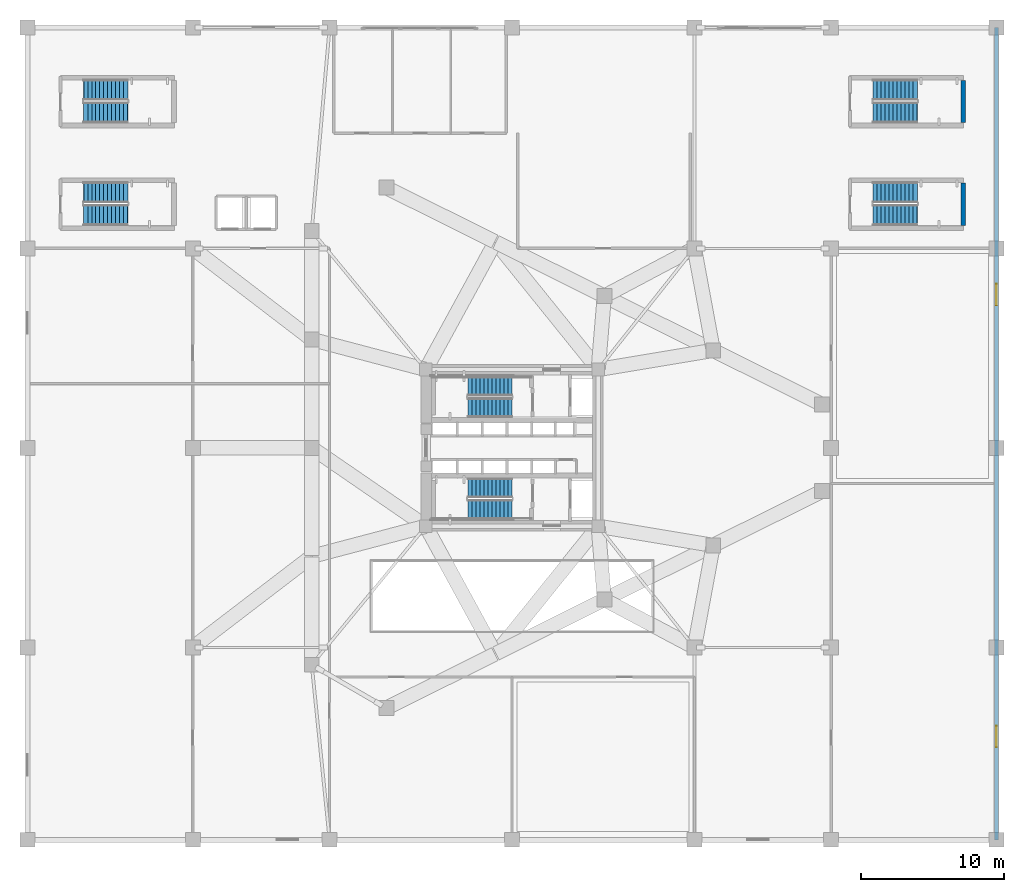
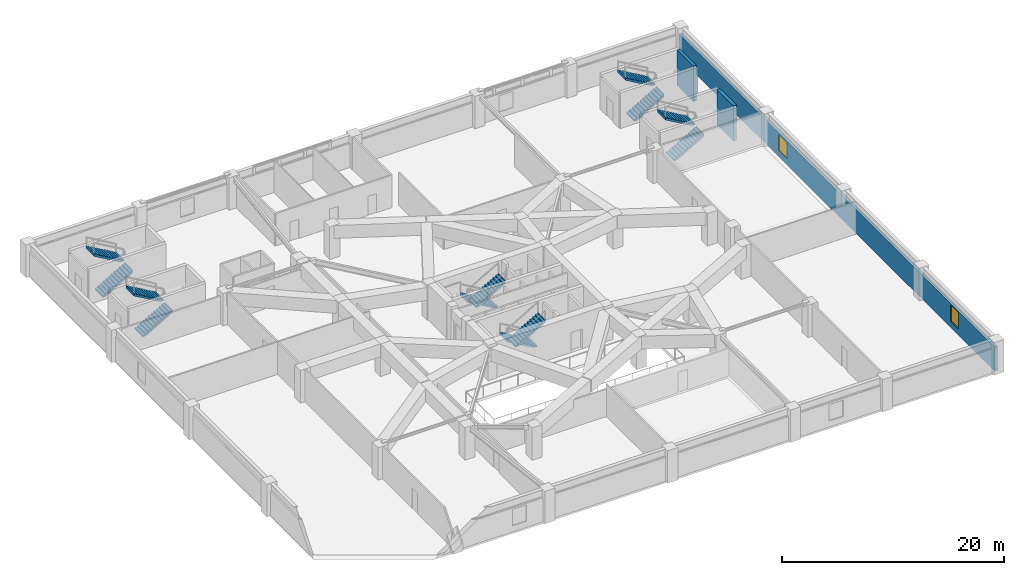
# One storey, part 8 of 16: 12 stair flights, 3 walls, 2 windows, 2 openings, 6 elements without a shape of their own.
"""IFC4 building model written with IfcOpenShell, lengths in metres."""

import ifcopenshell
import ifcopenshell.guid

model = None  # the IFC model being written
_history = None  # IfcOwnerHistory: only IFC2X3 demands one
_inside = {}  # id of a spatial element -> (the spatial element, [elements in it])
_under = {}  # id of a project, library or spatial element -> (it, [spatial elements below it])
_declared = {}  # id of a project -> (the project, [libraries it declares])
_typed = {}  # id of a type object -> (the type object, [elements of that type])
_made_of = {}  # id of a material, layer set ... -> (it, [elements and type objects made of it])


def new_model(schema):
    """Start an empty IFC model of exactly this schema.

    Asked for "IFC4X3", IfcOpenShell would pick the latest addendum, in which some entities
    have other attributes; the version numbers below select the first issue.
    IFC2X3 requires an IfcOwnerHistory on every rooted entity: one is made here for all.
    """
    global model, _history
    if schema == "IFC4X3":
        model = ifcopenshell.file(schema_version=(4, 3, 0, 0))
    else:
        model = ifcopenshell.file(schema=schema)
    _inside.clear()
    _under.clear()
    _declared.clear()
    _typed.clear()
    _made_of.clear()
    _history = None
    if model.schema == "IFC2X3":
        org = make("IfcOrganization", Name="unknown")
        user = make(
            "IfcPersonAndOrganization",
            ThePerson=make("IfcPerson", FamilyName="unknown"),
            TheOrganization=org,
        )
        app = make(
            "IfcApplication",
            ApplicationDeveloper=org,
            Version="unknown",
            ApplicationFullName="unknown",
            ApplicationIdentifier="unknown",
        )
        _history = make(
            "IfcOwnerHistory",
            OwningUser=user,
            OwningApplication=app,
            ChangeAction="ADDED",
            CreationDate=0,
        )
    return model


def make(cls, **values):
    """One entity of the class cls with the attributes given. An attribute that is None is left unset."""
    return model.create_entity(
        cls, **{name: value for name, value in values.items() if value is not None}
    )


def rooted(cls, **values):
    """An entity with a GlobalId (a new one), such as an element, a storey or a relation."""
    return make(cls, GlobalId=ifcopenshell.guid.new(), OwnerHistory=_history, **values)


def si_unit(unit_type, name, prefix=None):
    """IfcSIUnit, for example si_unit("LENGTHUNIT", "METRE", prefix="MILLI")."""
    return make("IfcSIUnit", UnitType=unit_type, Prefix=prefix, Name=name)


def assignment(units):
    """IfcUnitAssignment: the units of a project."""
    return None if units is None else make("IfcUnitAssignment", Units=units)


def point(xyz):
    """IfcCartesianPoint."""
    return None if xyz is None else make("IfcCartesianPoint", Coordinates=xyz)


def direction(xyz):
    """IfcDirection."""
    return None if xyz is None else make("IfcDirection", DirectionRatios=xyz)


def frame(location, z_axis=None, x_axis=None):
    """IfcAxis2Placement3D, a coordinate frame: its origin and axes. An axis left out is left unset."""
    return make(
        "IfcAxis2Placement3D",
        Location=point(location),
        Axis=direction(z_axis),
        RefDirection=direction(x_axis),
    )


def frame_2d(location, x_axis=None):
    """IfcAxis2Placement2D, a coordinate frame in the plane: its origin and x axis."""
    return make(
        "IfcAxis2Placement2D", Location=point(location), RefDirection=direction(x_axis)
    )


def origin():
    """The frame at (0, 0, 0) with its axes left unset."""
    return frame((0.0, 0.0, 0.0))


def place(relative_to, where):
    """IfcLocalPlacement: puts the frame where relative to a parent placement (None: the world)."""
    return make(
        "IfcLocalPlacement", PlacementRelTo=relative_to, RelativePlacement=where
    )


def context(
    kind, dimensions, precision=None, world=None, true_north=None, identifier=None
):
    """IfcGeometricRepresentationContext, for example the 3D "Model" context."""
    return make(
        "IfcGeometricRepresentationContext",
        ContextIdentifier=identifier,
        ContextType=kind,
        CoordinateSpaceDimension=dimensions,
        Precision=precision,
        WorldCoordinateSystem=world,
        TrueNorth=true_north,
    )


def subcontext(parent, identifier, kind, view, scale=None):
    """IfcGeometricRepresentationSubContext, for example "Body" below "Model"."""
    return make(
        "IfcGeometricRepresentationSubContext",
        ContextIdentifier=identifier,
        ContextType=kind,
        ParentContext=parent,
        TargetScale=scale,
        TargetView=view,
    )


def project(units=None, contexts=None):
    """IfcProject with its units and contexts."""
    return rooted(
        "IfcProject",
        Name="project",
        RepresentationContexts=contexts,
        UnitsInContext=assignment(units),
    )


def spatial(cls, under=None, at=None, **own):
    """A site, building, storey or space (cls), placed at a placement, below another one or the project."""
    s = rooted(cls, ObjectPlacement=at, **own)
    if under is not None:
        _under.setdefault(under.id(), (under, []))[1].append(s)
    return s


def polyline(points):
    """IfcPolyline through the points."""
    return make("IfcPolyline", Points=[point(p) for p in points])


def profile(cls, at=None, kind="AREA", **sizes):
    """A parametric profile (cls). Its sizes go by their IFC names, for example OverallWidth=200.0."""
    return make(cls, ProfileType=kind, Position=at, **sizes)


def rectangle(**sizes):
    """IfcRectangleProfileDef."""
    return profile("IfcRectangleProfileDef", **sizes)


def outline(outer, holes=None, kind="AREA"):
    """IfcArbitraryClosedProfileDef: a profile drawn as a closed curve; with holes, ...WithVoids."""
    if holes is None:
        return make("IfcArbitraryClosedProfileDef", ProfileType=kind, OuterCurve=outer)
    return make(
        "IfcArbitraryProfileDefWithVoids",
        ProfileType=kind,
        OuterCurve=outer,
        InnerCurves=holes,
    )


def extrude(swept, where, along, depth):
    """IfcExtrudedAreaSolid: the profile swept, set in the frame where, extruded along a direction by depth."""
    return make(
        "IfcExtrudedAreaSolid",
        SweptArea=swept,
        Position=where,
        ExtrudedDirection=direction(along),
        Depth=depth,
    )


def shape(context_of_items, identifier, shape_type, items):
    """IfcShapeRepresentation: the items that make up one representation, for example the "Body"."""
    return make(
        "IfcShapeRepresentation",
        ContextOfItems=context_of_items,
        RepresentationIdentifier=identifier,
        RepresentationType=shape_type,
        Items=items,
    )


def material(Name=None, Category=None):
    """IfcMaterial."""
    return make("IfcMaterial", Name=Name, Category=Category)


def layer(
    of_material, thickness, ventilated=None, Name=None, Category=None, Priority=None
):
    """IfcMaterialLayer: one layer of a wall or slab, of a material (None: an air gap)."""
    return make(
        "IfcMaterialLayer",
        Material=of_material,
        LayerThickness=thickness,
        IsVentilated=ventilated,
        Name=Name,
        Category=Category,
        Priority=Priority,
    )


def layer_set(layers, Name=None):
    """IfcMaterialLayerSet."""
    return make("IfcMaterialLayerSet", MaterialLayers=layers, LayerSetName=Name)


def made_of(thing, what):
    """Note that an element or type object is made of a material, layer set ...; save() writes the relation."""
    if what is not None:
        _made_of.setdefault(what.id(), (what, []))[1].append(thing)
    return thing


def type_object(cls, material=None, **own):
    """A type object (cls), such as IfcWallType, which elements share."""
    return made_of(rooted(cls, **own), material)


def element(
    cls,
    number,
    at=None,
    inside=None,
    cuts=None,
    type_object=None,
    material=None,
    context=None,
    identifier="Body",
    shape_type=None,
    held_by="IfcProductDefinitionShape",
    body=None,
    shapes=None,
    **own,
):
    """One element of the class cls, such as IfcWall. Its Tag is "e" and its number.

    at: its placement. inside: the storey or other place that contains it. cuts: it is an
    opening in that element (IfcRelVoidsElement). A single representation is given by context,
    identifier, shape_type and body (its items); several are given by shapes. held_by: the class
    of the entity that holds the representations. save() writes the other relations.
    """
    e = rooted(cls, Tag="e%d" % number, ObjectPlacement=at, **own)
    if body is not None:
        shapes = [shape(context, identifier, shape_type, body)]
    if shapes is not None:
        e.Representation = make(held_by, Representations=shapes)
    if inside is not None:
        _inside.setdefault(inside.id(), (inside, []))[1].append(e)
    if cuts is not None:
        rooted(
            "IfcRelVoidsElement", RelatingBuildingElement=cuts, RelatedOpeningElement=e
        )
    if type_object is not None:
        _typed.setdefault(type_object.id(), (type_object, []))[1].append(e)
    return made_of(e, material)


def fill(opening, filler):
    """IfcRelFillsElement: the door or window that sits in an opening."""
    return rooted(
        "IfcRelFillsElement",
        RelatingOpeningElement=opening,
        RelatedBuildingElement=filler,
    )


def aggregate(whole, parts):
    """IfcRelAggregates: a whole, such as a stair, and the parts it consists of."""
    return rooted("IfcRelAggregates", RelatingObject=whole, RelatedObjects=parts)


def save(model, path):
    """Write the relations noted so far, then the file.

    IfcRelAggregates (storeys below a building ...), IfcRelContainedInSpatialStructure (elements
    in a storey), IfcRelDefinesByType, IfcRelAssociatesMaterial and IfcRelDeclares: one each for
    every whole, place, type object, material and project.
    """
    for whole, parts in _under.values():
        aggregate(whole, parts)
    for where, things in _inside.values():
        rooted(
            "IfcRelContainedInSpatialStructure",
            RelatedElements=things,
            RelatingStructure=where,
        )
    for kind, things in _typed.values():
        rooted("IfcRelDefinesByType", RelatedObjects=things, RelatingType=kind)
    for what, things in _made_of.values():
        rooted("IfcRelAssociatesMaterial", RelatedObjects=things, RelatingMaterial=what)
    for by, libraries in _declared.values():
        rooted("IfcRelDeclares", RelatingContext=by, RelatedDefinitions=libraries)
    model.write(path)


model = new_model("IFC4")

# Units and contexts
model_context = context("Model", 3, precision=1e-05, world=origin(), true_north=direction((0.0, 1.0)))
body_context = subcontext(model_context, "Body", "Model", "MODEL_VIEW")
ifc_project = project(units=[si_unit("LENGTHUNIT", "METRE"), si_unit("AREAUNIT", "SQUARE_METRE"), si_unit("VOLUMEUNIT", "CUBIC_METRE"), si_unit("PLANEANGLEUNIT", "RADIAN"), si_unit("MASSUNIT", "GRAM", prefix="KILO")], contexts=[model_context])

# Site, building, storey
site_placement = place(None, origin())
site = spatial("IfcSite", under=ifc_project, at=site_placement, CompositionType="ELEMENT")
building_placement = place(site_placement, origin())
building = spatial("IfcBuilding", under=site, at=building_placement, Name="Yunling Apex Tower", CompositionType="ELEMENT")
storey_placement = place(building_placement, frame((0.0, 0.0, 16.199951171875)))
storey = spatial("IfcBuildingStorey", under=building, at=storey_placement, Name="L05", CompositionType="ELEMENT", Elevation=16.199951171875)

# Walls
ifc_material_1 = material(Name="Concrete C40", Category="concrete")
ifc_layer_1 = layer(ifc_material_1, 0.320068359375)
ifc_layer_set_1 = layer_set([ifc_layer_1], Name="Concrete C40")
wall_type_1 = type_object("IfcWallType", Name="WL-COR-7", PredefinedType="SHEAR", material=ifc_layer_set_1)
for number, where, z_axis, x_axis, name in (
    (1, (31.679931640625, 15.6201171875, 0.0), (0.0, 0.0, 1.0), (0.0, 1.0, 0.0), "L05 STP2 Half-Landing Bearing Wall"),
    (2, (31.679931640625, 22.820068359375, 0.0), (0.0, 0.0, 1.0), (0.0, 1.0, 0.0), "L05 STG2 Half-Landing Bearing Wall"),
):
    element("IfcWall", number, at=place(storey_placement, frame(where, z_axis=z_axis, x_axis=x_axis)), inside=storey, type_object=wall_type_1, Name=name, PredefinedType="SHEAR", context=body_context, shape_type="SweptSolid", body=[
        extrude(rectangle(XDim=2.9599609375, YDim=0.320068359375, at=frame_2d((1.47998046875, 0.0))), origin(), (0.0, 0.0, 1.0), 3.900146484375),
    ])

# Wall, openings, windows
ifc_material_2 = material(Name="Precast concrete C40", Category="concrete")
ifc_layer_2 = layer(ifc_material_2, 0.280029296875)
ifc_layer_set_2 = layer_set([ifc_layer_2], Name="Precast concrete C40")
wall_type_2 = type_object("IfcWallType", Name="WL-EXT-2", PredefinedType="SOLIDWALL", material=ifc_layer_set_2)
wall_placement = place(storey_placement, frame((34.0, 29.5, 0.0), z_axis=(0.0, 0.0, 1.0), x_axis=(0.0, -1.0, 0.0)))
wall = element("IfcWall", 3, at=wall_placement, inside=storey, type_object=wall_type_2, Name="WL-POD-L05-E", PredefinedType="SOLIDWALL", context=body_context, shape_type="SweptSolid", body=[
    extrude(rectangle(XDim=57.0, YDim=0.280029296875, at=frame_2d((28.5, 0.0))), origin(), (0.0, 0.0, 1.0), 2.64013671875),
])
opening_1_placement = place(wall_placement, frame((18.0, 0.0, 0.64990234375)))
opening_1 = element("IfcOpeningElement", 4, at=opening_1_placement, cuts=wall, Name="Opening WN-POD-3", PredefinedType="OPENING", context=body_context, shape_type="SweptSolid", body=[
    extrude(rectangle(XDim=1.5, YDim=1.800048828125, at=frame_2d((0.75, 0.89990234375))), frame((0.0, 0.14990234375, 0.0), z_axis=(0.0, -1.0, 0.0), x_axis=(1.0, 0.0, 0.0)), (0.0, 0.0, 1.0), 0.300048828125),
])
opening_2_placement = place(wall_placement, frame((49.0, 0.0, 0.64990234375)))
opening_2 = element("IfcOpeningElement", 5, at=opening_2_placement, cuts=wall, Name="Opening WN-POD-3", PredefinedType="OPENING", context=body_context, shape_type="SweptSolid", body=[
    extrude(rectangle(XDim=1.5, YDim=1.800048828125, at=frame_2d((0.75, 0.89990234375))), frame((0.0, 0.14990234375, 0.0), z_axis=(0.0, -1.0, 0.0), x_axis=(1.0, 0.0, 0.0)), (0.0, 0.0, 1.0), 0.300048828125),
])
ifc_material_3 = material(Name="Bronze tinted low-E glass", Category="glass")
window_type = type_object("IfcWindowType", Name="WN-POD-3", PartitioningType="SINGLE_PANEL", PredefinedType="WINDOW", material=ifc_material_3)
window_1_placement = place(opening_1_placement, origin())
window_1 = element("IfcWindow", 6, at=window_1_placement, inside=storey, type_object=window_type, Name="WN-L05-E-1", OverallHeight=1.800048828125, OverallWidth=1.5, PartitioningType="SINGLE_PANEL", PredefinedType="WINDOW", context=body_context, shape_type="SweptSolid", body=[
    extrude(rectangle(XDim=1.5, YDim=1.800048828125, at=frame_2d((0.75, 0.89990234375))), frame((0.0, 0.030029296875, 0.0), z_axis=(0.0, -1.0, 0.0), x_axis=(1.0, 0.0, 0.0)), (0.0, 0.0, 1.0), 0.06005859375),
])
fill(opening_1, window_1)
window_2_placement = place(opening_2_placement, origin())
window_2 = element("IfcWindow", 7, at=window_2_placement, inside=storey, type_object=window_type, Name="WN-L05-E-2", OverallHeight=1.800048828125, OverallWidth=1.5, PartitioningType="SINGLE_PANEL", PredefinedType="WINDOW", context=body_context, shape_type="SweptSolid", body=[
    extrude(rectangle(XDim=1.5, YDim=1.800048828125, at=frame_2d((0.75, 0.89990234375))), frame((0.0, 0.030029296875, 0.0), z_axis=(0.0, -1.0, 0.0), x_axis=(1.0, 0.0, 0.0)), (0.0, 0.0, 1.0), 0.06005859375),
])
fill(opening_2, window_2)

# Stair, stair flights
stair_type_1 = type_object("IfcStairType", Name="ST-GDN-1", PredefinedType="STRAIGHT_RUN_STAIR", material=ifc_material_1)
stair_1_placement = place(storey_placement, origin())
stair_1 = element("IfcStair", 8, at=stair_1_placement, inside=storey, type_object=stair_type_1, Name="L05 West Plaza-to-Garden External Stair ST-G1", PredefinedType="HALF_TURN_STAIR")
stair_flight_type_1 = type_object("IfcStairFlightType", Name="SFL-GDN-1", PredefinedType="STRAIGHT", material=ifc_material_1)
stair_flight_1_placement = place(storey_placement, frame((-30.050048828125, 23.52490234375, 0.0), z_axis=(0.0, 0.0, 1.0), x_axis=(1.0, 0.0, 0.0)))
stair_flight_1 = element("IfcStairFlight", 9, at=stair_flight_1_placement, type_object=stair_flight_type_1, Name="ST-G1 flight 1", NumberOfRisers=12, NumberOfTreads=11, PredefinedType="STRAIGHT", RiserHeight=0.1625, TreadLength=0.28, context=body_context, shape_type="SweptSolid", body=[
    extrude(outline(polyline([(-0.011962890625, 0.0), (-0.011962890625, 0.16259765625), (0.0, 0.16259765625), (0.280029296875, 0.16259765625), (0.280029296875, 0.324951171875), (0.56005859375, 0.324951171875), (0.56005859375, 0.487548828125), (0.840087890625, 0.487548828125), (0.840087890625, 0.64990234375), (1.1201171875, 0.64990234375), (1.1201171875, 0.8125), (1.39990234375, 0.8125), (1.39990234375, 0.97509765625), (1.679931640625, 0.97509765625), (1.679931640625, 1.137451171875), (1.9599609375, 1.137451171875), (1.9599609375, 1.300048828125), (2.239990234375, 1.300048828125), (2.239990234375, 1.46240234375), (2.52001953125, 1.46240234375), (2.52001953125, 1.625), (2.800048828125, 1.625), (2.800048828125, 1.78759765625), (3.080078125, 1.78759765625), (3.080078125, 1.949951171875), (3.092041015625, 1.949951171875), (3.092041015625, 1.6025390625), (0.318603515625, 0.0), (-0.011962890625, 0.0)])), frame((0.0, 0.72509765625, 0.0), z_axis=(0.0, -1.0, 0.0), x_axis=(1.0, 0.0, 0.0)), (0.0, 0.0, 1.0), 1.449951171875),
])
stair_flight_2_placement = place(storey_placement, frame((-26.969970703125, 25.125, 1.949951171875), z_axis=(0.0, 0.0, 1.0), x_axis=(-1.0, 0.0, 0.0)))
stair_flight_2 = element("IfcStairFlight", 10, at=stair_flight_2_placement, type_object=stair_flight_type_1, Name="ST-G1 flight 2", NumberOfRisers=12, NumberOfTreads=11, PredefinedType="STRAIGHT", RiserHeight=0.1625, TreadLength=0.28, context=body_context, shape_type="SweptSolid", body=[
    extrude(outline(polyline([(-0.011962890625, 0.0), (-0.011962890625, 0.16259765625), (0.0, 0.16259765625), (0.280029296875, 0.16259765625), (0.280029296875, 0.324951171875), (0.56005859375, 0.324951171875), (0.56005859375, 0.487548828125), (0.840087890625, 0.487548828125), (0.840087890625, 0.64990234375), (1.1201171875, 0.64990234375), (1.1201171875, 0.8125), (1.39990234375, 0.8125), (1.39990234375, 0.97509765625), (1.679931640625, 0.97509765625), (1.679931640625, 1.137451171875), (1.9599609375, 1.137451171875), (1.9599609375, 1.300048828125), (2.239990234375, 1.300048828125), (2.239990234375, 1.46240234375), (2.52001953125, 1.46240234375), (2.52001953125, 1.625), (2.800048828125, 1.625), (2.800048828125, 1.78759765625), (3.080078125, 1.78759765625), (3.080078125, 1.949951171875), (3.092041015625, 1.949951171875), (3.092041015625, 1.6025390625), (0.318603515625, 0.0), (-0.011962890625, 0.0)])), frame((0.0, 0.72509765625, 0.0), z_axis=(0.0, -1.0, 0.0), x_axis=(1.0, 0.0, 0.0)), (0.0, 0.0, 1.0), 1.449951171875),
])
aggregate(stair_1, [stair_flight_1, stair_flight_2])

stair_2_placement = place(storey_placement, origin())
stair_2 = element("IfcStair", 11, at=stair_2_placement, inside=storey, type_object=stair_type_1, Name="L05 East Plaza-to-Garden External Stair ST-G2", PredefinedType="HALF_TURN_STAIR")
stair_flight_3_placement = place(storey_placement, frame((25.35009765625, 23.52490234375, 0.0), z_axis=(0.0, 0.0, 1.0), x_axis=(1.0, 0.0, 0.0)))
stair_flight_3 = element("IfcStairFlight", 12, at=stair_flight_3_placement, type_object=stair_flight_type_1, Name="ST-G2 flight 1", NumberOfRisers=12, NumberOfTreads=11, PredefinedType="STRAIGHT", RiserHeight=0.1625, TreadLength=0.28, context=body_context, shape_type="SweptSolid", body=[
    extrude(outline(polyline([(-0.011962890625, 0.0), (-0.011962890625, 0.16259765625), (0.0, 0.16259765625), (0.280029296875, 0.16259765625), (0.280029296875, 0.324951171875), (0.56005859375, 0.324951171875), (0.56005859375, 0.487548828125), (0.840087890625, 0.487548828125), (0.840087890625, 0.64990234375), (1.1201171875, 0.64990234375), (1.1201171875, 0.8125), (1.39990234375, 0.8125), (1.39990234375, 0.97509765625), (1.679931640625, 0.97509765625), (1.679931640625, 1.137451171875), (1.9599609375, 1.137451171875), (1.9599609375, 1.300048828125), (2.239990234375, 1.300048828125), (2.239990234375, 1.46240234375), (2.52001953125, 1.46240234375), (2.52001953125, 1.625), (2.800048828125, 1.625), (2.800048828125, 1.78759765625), (3.080078125, 1.78759765625), (3.080078125, 1.949951171875), (3.092041015625, 1.949951171875), (3.092041015625, 1.6025390625), (0.318603515625, 0.0), (-0.011962890625, 0.0)])), frame((0.0, 0.72509765625, 0.0), z_axis=(0.0, -1.0, 0.0), x_axis=(1.0, 0.0, 0.0)), (0.0, 0.0, 1.0), 1.449951171875),
])
stair_flight_4_placement = place(storey_placement, frame((28.429931640625, 25.125, 1.949951171875), z_axis=(0.0, 0.0, 1.0), x_axis=(-1.0, 0.0, 0.0)))
stair_flight_4 = element("IfcStairFlight", 13, at=stair_flight_4_placement, type_object=stair_flight_type_1, Name="ST-G2 flight 2", NumberOfRisers=12, NumberOfTreads=11, PredefinedType="STRAIGHT", RiserHeight=0.1625, TreadLength=0.28, context=body_context, shape_type="SweptSolid", body=[
    extrude(outline(polyline([(-0.011962890625, 0.0), (-0.011962890625, 0.16259765625), (0.0, 0.16259765625), (0.280029296875, 0.16259765625), (0.280029296875, 0.324951171875), (0.56005859375, 0.324951171875), (0.56005859375, 0.487548828125), (0.840087890625, 0.487548828125), (0.840087890625, 0.64990234375), (1.1201171875, 0.64990234375), (1.1201171875, 0.8125), (1.39990234375, 0.8125), (1.39990234375, 0.97509765625), (1.679931640625, 0.97509765625), (1.679931640625, 1.137451171875), (1.9599609375, 1.137451171875), (1.9599609375, 1.300048828125), (2.239990234375, 1.300048828125), (2.239990234375, 1.46240234375), (2.52001953125, 1.46240234375), (2.52001953125, 1.625), (2.800048828125, 1.625), (2.800048828125, 1.78759765625), (3.080078125, 1.78759765625), (3.080078125, 1.949951171875), (3.092041015625, 1.949951171875), (3.092041015625, 1.6025390625), (0.318603515625, 0.0), (-0.011962890625, 0.0)])), frame((0.0, 0.72509765625, 0.0), z_axis=(0.0, -1.0, 0.0), x_axis=(1.0, 0.0, 0.0)), (0.0, 0.0, 1.0), 1.449951171875),
])
aggregate(stair_2, [stair_flight_3, stair_flight_4])

stair_type_2 = type_object("IfcStairType", Name="ST-POD-1", PredefinedType="HALF_TURN_STAIR", material=ifc_material_1)
stair_3_placement = place(storey_placement, origin())
stair_3 = element("IfcStair", 14, at=stair_3_placement, inside=storey, type_object=stair_type_2, Name="L05 West Podium Smokeproof Stair ST-P1", PredefinedType="HALF_TURN_STAIR")
stair_flight_type_2 = type_object("IfcStairFlightType", Name="SFL-POD-1", PredefinedType="STRAIGHT", material=ifc_material_1)
stair_flight_5_placement = place(storey_placement, frame((-30.050048828125, 16.324951171875, 0.0), z_axis=(0.0, 0.0, 1.0), x_axis=(1.0, 0.0, 0.0)))
stair_flight_5 = element("IfcStairFlight", 15, at=stair_flight_5_placement, type_object=stair_flight_type_2, Name="ST-P1 flight 1", NumberOfRisers=12, NumberOfTreads=11, PredefinedType="STRAIGHT", RiserHeight=0.1625, TreadLength=0.28, context=body_context, shape_type="SweptSolid", body=[
    extrude(outline(polyline([(-0.011962890625, 0.0), (-0.011962890625, 0.16259765625), (0.0, 0.16259765625), (0.280029296875, 0.16259765625), (0.280029296875, 0.324951171875), (0.56005859375, 0.324951171875), (0.56005859375, 0.487548828125), (0.840087890625, 0.487548828125), (0.840087890625, 0.64990234375), (1.1201171875, 0.64990234375), (1.1201171875, 0.8125), (1.39990234375, 0.8125), (1.39990234375, 0.97509765625), (1.679931640625, 0.97509765625), (1.679931640625, 1.137451171875), (1.9599609375, 1.137451171875), (1.9599609375, 1.300048828125), (2.239990234375, 1.300048828125), (2.239990234375, 1.46240234375), (2.52001953125, 1.46240234375), (2.52001953125, 1.625), (2.800048828125, 1.625), (2.800048828125, 1.78759765625), (3.080078125, 1.78759765625), (3.080078125, 1.949951171875), (3.092041015625, 1.949951171875), (3.092041015625, 1.6025390625), (0.318603515625, 0.0), (-0.011962890625, 0.0)])), frame((0.0, 0.72509765625, 0.0), z_axis=(0.0, -1.0, 0.0), x_axis=(1.0, 0.0, 0.0)), (0.0, 0.0, 1.0), 1.449951171875),
])
stair_flight_6_placement = place(storey_placement, frame((-26.969970703125, 17.925048828125, 1.949951171875), z_axis=(0.0, 0.0, 1.0), x_axis=(-1.0, 0.0, 0.0)))
stair_flight_6 = element("IfcStairFlight", 16, at=stair_flight_6_placement, type_object=stair_flight_type_2, Name="ST-P1 flight 2", NumberOfRisers=12, NumberOfTreads=11, PredefinedType="STRAIGHT", RiserHeight=0.1625, TreadLength=0.28, context=body_context, shape_type="SweptSolid", body=[
    extrude(outline(polyline([(-0.011962890625, 0.0), (-0.011962890625, 0.16259765625), (0.0, 0.16259765625), (0.280029296875, 0.16259765625), (0.280029296875, 0.324951171875), (0.56005859375, 0.324951171875), (0.56005859375, 0.487548828125), (0.840087890625, 0.487548828125), (0.840087890625, 0.64990234375), (1.1201171875, 0.64990234375), (1.1201171875, 0.8125), (1.39990234375, 0.8125), (1.39990234375, 0.97509765625), (1.679931640625, 0.97509765625), (1.679931640625, 1.137451171875), (1.9599609375, 1.137451171875), (1.9599609375, 1.300048828125), (2.239990234375, 1.300048828125), (2.239990234375, 1.46240234375), (2.52001953125, 1.46240234375), (2.52001953125, 1.625), (2.800048828125, 1.625), (2.800048828125, 1.78759765625), (3.080078125, 1.78759765625), (3.080078125, 1.949951171875), (3.092041015625, 1.949951171875), (3.092041015625, 1.6025390625), (0.318603515625, 0.0), (-0.011962890625, 0.0)])), frame((0.0, 0.72509765625, 0.0), z_axis=(0.0, -1.0, 0.0), x_axis=(1.0, 0.0, 0.0)), (0.0, 0.0, 1.0), 1.449951171875),
])
aggregate(stair_3, [stair_flight_5, stair_flight_6])

stair_4_placement = place(storey_placement, origin())
stair_4 = element("IfcStair", 17, at=stair_4_placement, inside=storey, type_object=stair_type_2, Name="L05 East Podium Smokeproof Stair ST-P2", PredefinedType="HALF_TURN_STAIR")
stair_flight_7_placement = place(storey_placement, frame((25.35009765625, 16.324951171875, 0.0), z_axis=(0.0, 0.0, 1.0), x_axis=(1.0, 0.0, 0.0)))
stair_flight_7 = element("IfcStairFlight", 18, at=stair_flight_7_placement, type_object=stair_flight_type_2, Name="ST-P2 flight 1", NumberOfRisers=12, NumberOfTreads=11, PredefinedType="STRAIGHT", RiserHeight=0.1625, TreadLength=0.28, context=body_context, shape_type="SweptSolid", body=[
    extrude(outline(polyline([(-0.011962890625, 0.0), (-0.011962890625, 0.16259765625), (0.0, 0.16259765625), (0.280029296875, 0.16259765625), (0.280029296875, 0.324951171875), (0.56005859375, 0.324951171875), (0.56005859375, 0.487548828125), (0.840087890625, 0.487548828125), (0.840087890625, 0.64990234375), (1.1201171875, 0.64990234375), (1.1201171875, 0.8125), (1.39990234375, 0.8125), (1.39990234375, 0.97509765625), (1.679931640625, 0.97509765625), (1.679931640625, 1.137451171875), (1.9599609375, 1.137451171875), (1.9599609375, 1.300048828125), (2.239990234375, 1.300048828125), (2.239990234375, 1.46240234375), (2.52001953125, 1.46240234375), (2.52001953125, 1.625), (2.800048828125, 1.625), (2.800048828125, 1.78759765625), (3.080078125, 1.78759765625), (3.080078125, 1.949951171875), (3.092041015625, 1.949951171875), (3.092041015625, 1.6025390625), (0.318603515625, 0.0), (-0.011962890625, 0.0)])), frame((0.0, 0.72509765625, 0.0), z_axis=(0.0, -1.0, 0.0), x_axis=(1.0, 0.0, 0.0)), (0.0, 0.0, 1.0), 1.449951171875),
])
stair_flight_8_placement = place(storey_placement, frame((28.429931640625, 17.925048828125, 1.949951171875), z_axis=(0.0, 0.0, 1.0), x_axis=(-1.0, 0.0, 0.0)))
stair_flight_8 = element("IfcStairFlight", 19, at=stair_flight_8_placement, type_object=stair_flight_type_2, Name="ST-P2 flight 2", NumberOfRisers=12, NumberOfTreads=11, PredefinedType="STRAIGHT", RiserHeight=0.1625, TreadLength=0.28, context=body_context, shape_type="SweptSolid", body=[
    extrude(outline(polyline([(-0.011962890625, 0.0), (-0.011962890625, 0.16259765625), (0.0, 0.16259765625), (0.280029296875, 0.16259765625), (0.280029296875, 0.324951171875), (0.56005859375, 0.324951171875), (0.56005859375, 0.487548828125), (0.840087890625, 0.487548828125), (0.840087890625, 0.64990234375), (1.1201171875, 0.64990234375), (1.1201171875, 0.8125), (1.39990234375, 0.8125), (1.39990234375, 0.97509765625), (1.679931640625, 0.97509765625), (1.679931640625, 1.137451171875), (1.9599609375, 1.137451171875), (1.9599609375, 1.300048828125), (2.239990234375, 1.300048828125), (2.239990234375, 1.46240234375), (2.52001953125, 1.46240234375), (2.52001953125, 1.625), (2.800048828125, 1.625), (2.800048828125, 1.78759765625), (3.080078125, 1.78759765625), (3.080078125, 1.949951171875), (3.092041015625, 1.949951171875), (3.092041015625, 1.6025390625), (0.318603515625, 0.0), (-0.011962890625, 0.0)])), frame((0.0, 0.72509765625, 0.0), z_axis=(0.0, -1.0, 0.0), x_axis=(1.0, 0.0, 0.0)), (0.0, 0.0, 1.0), 1.449951171875),
])
aggregate(stair_4, [stair_flight_7, stair_flight_8])

stair_type_3 = type_object("IfcStairType", Name="ST-TWR-1", PredefinedType="HALF_TURN_STAIR", material=ifc_material_1)
stair_5_placement = place(storey_placement, origin())
stair_5 = element("IfcStair", 20, at=stair_5_placement, inside=storey, type_object=stair_type_3, Name="L05 North Core Smokeproof Exit Stair ST-1", PredefinedType="HALF_TURN_STAIR")
stair_flight_type_3 = type_object("IfcStairFlightType", Name="SFL-TWR-1", PredefinedType="STRAIGHT", material=ifc_material_1)
stair_flight_9_placement = place(storey_placement, frame((-0.010009765625, 4.330078125, 0.0), z_axis=(0.0, 0.0, 1.0), x_axis=(-1.0, 0.0, 0.0)))
stair_flight_9 = element("IfcStairFlight", 21, at=stair_flight_9_placement, type_object=stair_flight_type_3, Name="ST-1 flight 1", NumberOfRisers=12, NumberOfTreads=11, PredefinedType="STRAIGHT", RiserHeight=0.1625, TreadLength=0.28, context=body_context, shape_type="SweptSolid", body=[
    extrude(outline(polyline([(-0.011962890625, 0.0), (-0.011962890625, 0.16259765625), (0.0, 0.16259765625), (0.280029296875, 0.16259765625), (0.280029296875, 0.324951171875), (0.56005859375, 0.324951171875), (0.56005859375, 0.487548828125), (0.840087890625, 0.487548828125), (0.840087890625, 0.64990234375), (1.1201171875, 0.64990234375), (1.1201171875, 0.8125), (1.39990234375, 0.8125), (1.39990234375, 0.97509765625), (1.679931640625, 0.97509765625), (1.679931640625, 1.137451171875), (1.9599609375, 1.137451171875), (1.9599609375, 1.300048828125), (2.239990234375, 1.300048828125), (2.239990234375, 1.46240234375), (2.52001953125, 1.46240234375), (2.52001953125, 1.625), (2.800048828125, 1.625), (2.800048828125, 1.78759765625), (3.080078125, 1.78759765625), (3.080078125, 1.949951171875), (3.092041015625, 1.949951171875), (3.092041015625, 1.6025390625), (0.318603515625, 0.0), (-0.011962890625, 0.0)])), frame((0.0, 0.68017578125, 0.0), z_axis=(0.0, -1.0, 0.0), x_axis=(1.0, 0.0, 0.0)), (0.0, 0.0, 1.0), 1.360107421875),
])
stair_flight_10_placement = place(storey_placement, frame((-3.090087890625, 2.820068359375, 1.949951171875), z_axis=(0.0, 0.0, 1.0), x_axis=(1.0, 0.0, 0.0)))
stair_flight_10 = element("IfcStairFlight", 22, at=stair_flight_10_placement, type_object=stair_flight_type_3, Name="ST-1 flight 2", NumberOfRisers=12, NumberOfTreads=11, PredefinedType="STRAIGHT", RiserHeight=0.1625, TreadLength=0.28, context=body_context, shape_type="SweptSolid", body=[
    extrude(outline(polyline([(-0.011962890625, 0.0), (-0.011962890625, 0.16259765625), (0.0, 0.16259765625), (0.280029296875, 0.16259765625), (0.280029296875, 0.324951171875), (0.56005859375, 0.324951171875), (0.56005859375, 0.487548828125), (0.840087890625, 0.487548828125), (0.840087890625, 0.64990234375), (1.1201171875, 0.64990234375), (1.1201171875, 0.8125), (1.39990234375, 0.8125), (1.39990234375, 0.97509765625), (1.679931640625, 0.97509765625), (1.679931640625, 1.137451171875), (1.9599609375, 1.137451171875), (1.9599609375, 1.300048828125), (2.239990234375, 1.300048828125), (2.239990234375, 1.46240234375), (2.52001953125, 1.46240234375), (2.52001953125, 1.625), (2.800048828125, 1.625), (2.800048828125, 1.78759765625), (3.080078125, 1.78759765625), (3.080078125, 1.949951171875), (3.092041015625, 1.949951171875), (3.092041015625, 1.6025390625), (0.318603515625, 0.0), (-0.011962890625, 0.0)])), frame((0.0, 0.68017578125, 0.0), z_axis=(0.0, -1.0, 0.0), x_axis=(1.0, 0.0, 0.0)), (0.0, 0.0, 1.0), 1.360107421875),
])
aggregate(stair_5, [stair_flight_9, stair_flight_10])

stair_6_placement = place(storey_placement, origin())
stair_6 = element("IfcStair", 23, at=stair_6_placement, inside=storey, type_object=stair_type_3, Name="L05 South Core Smokeproof Exit Stair ST-2", PredefinedType="HALF_TURN_STAIR")
stair_flight_11_placement = place(storey_placement, frame((-0.010009765625, -2.820068359375, 0.0), z_axis=(0.0, 0.0, 1.0), x_axis=(-1.0, 0.0, 0.0)))
stair_flight_11 = element("IfcStairFlight", 24, at=stair_flight_11_placement, type_object=stair_flight_type_3, Name="ST-2 flight 1", NumberOfRisers=12, NumberOfTreads=11, PredefinedType="STRAIGHT", RiserHeight=0.1625, TreadLength=0.28, context=body_context, shape_type="SweptSolid", body=[
    extrude(outline(polyline([(-0.011962890625, 0.0), (-0.011962890625, 0.16259765625), (0.0, 0.16259765625), (0.280029296875, 0.16259765625), (0.280029296875, 0.324951171875), (0.56005859375, 0.324951171875), (0.56005859375, 0.487548828125), (0.840087890625, 0.487548828125), (0.840087890625, 0.64990234375), (1.1201171875, 0.64990234375), (1.1201171875, 0.8125), (1.39990234375, 0.8125), (1.39990234375, 0.97509765625), (1.679931640625, 0.97509765625), (1.679931640625, 1.137451171875), (1.9599609375, 1.137451171875), (1.9599609375, 1.300048828125), (2.239990234375, 1.300048828125), (2.239990234375, 1.46240234375), (2.52001953125, 1.46240234375), (2.52001953125, 1.625), (2.800048828125, 1.625), (2.800048828125, 1.78759765625), (3.080078125, 1.78759765625), (3.080078125, 1.949951171875), (3.092041015625, 1.949951171875), (3.092041015625, 1.6025390625), (0.318603515625, 0.0), (-0.011962890625, 0.0)])), frame((0.0, 0.68017578125, 0.0), z_axis=(0.0, -1.0, 0.0), x_axis=(1.0, 0.0, 0.0)), (0.0, 0.0, 1.0), 1.360107421875),
])
stair_flight_12_placement = place(storey_placement, frame((-3.090087890625, -4.330078125, 1.949951171875), z_axis=(0.0, 0.0, 1.0), x_axis=(1.0, 0.0, 0.0)))
stair_flight_12 = element("IfcStairFlight", 25, at=stair_flight_12_placement, type_object=stair_flight_type_3, Name="ST-2 flight 2", NumberOfRisers=12, NumberOfTreads=11, PredefinedType="STRAIGHT", RiserHeight=0.1625, TreadLength=0.28, context=body_context, shape_type="SweptSolid", body=[
    extrude(outline(polyline([(-0.011962890625, 0.0), (-0.011962890625, 0.16259765625), (0.0, 0.16259765625), (0.280029296875, 0.16259765625), (0.280029296875, 0.324951171875), (0.56005859375, 0.324951171875), (0.56005859375, 0.487548828125), (0.840087890625, 0.487548828125), (0.840087890625, 0.64990234375), (1.1201171875, 0.64990234375), (1.1201171875, 0.8125), (1.39990234375, 0.8125), (1.39990234375, 0.97509765625), (1.679931640625, 0.97509765625), (1.679931640625, 1.137451171875), (1.9599609375, 1.137451171875), (1.9599609375, 1.300048828125), (2.239990234375, 1.300048828125), (2.239990234375, 1.46240234375), (2.52001953125, 1.46240234375), (2.52001953125, 1.625), (2.800048828125, 1.625), (2.800048828125, 1.78759765625), (3.080078125, 1.78759765625), (3.080078125, 1.949951171875), (3.092041015625, 1.949951171875), (3.092041015625, 1.6025390625), (0.318603515625, 0.0), (-0.011962890625, 0.0)])), frame((0.0, 0.68017578125, 0.0), z_axis=(0.0, -1.0, 0.0), x_axis=(1.0, 0.0, 0.0)), (0.0, 0.0, 1.0), 1.360107421875),
])
aggregate(stair_6, [stair_flight_11, stair_flight_12])

save(model, "model.ifc")
